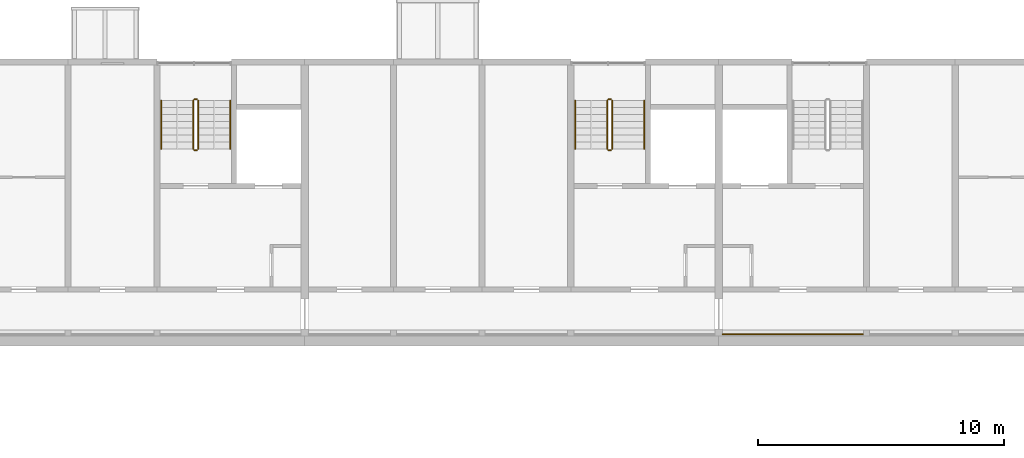
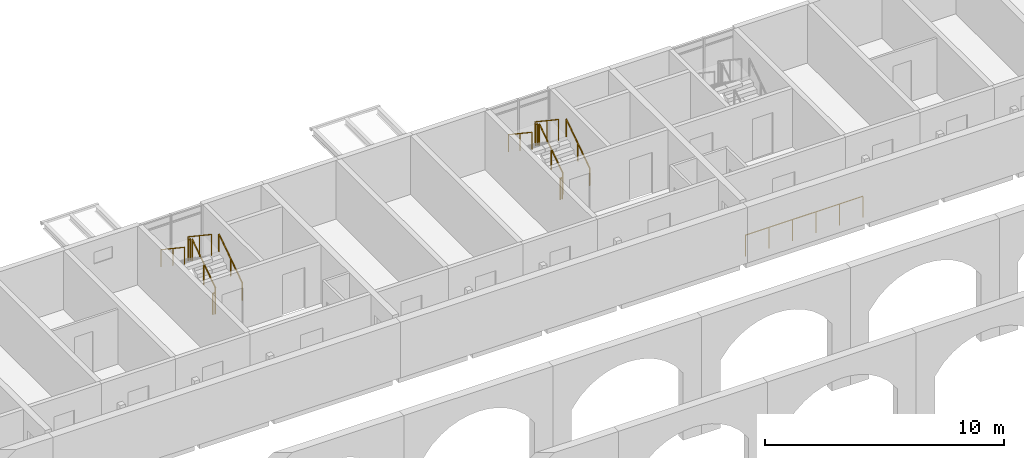
# One storey, part 104 of 122: 13 railings.
"""IFC4 building model written with IfcOpenShell, lengths in metres."""

from ifc_helpers import new_model, si_unit, direction, frame, origin, origin_2d, place, context, subcontext, project, spatial, circle, extrude, material, type_object, element, save


model = new_model("IFC4")

# Units and contexts
model_context = context("Model", 3, precision=1e-05, world=origin(), true_north=direction((0.0, 1.0)))
body_context = subcontext(model_context, "Body", "Model", "MODEL_VIEW")
ifc_project = project(units=[si_unit("LENGTHUNIT", "METRE"), si_unit("AREAUNIT", "SQUARE_METRE"), si_unit("VOLUMEUNIT", "CUBIC_METRE"), si_unit("PLANEANGLEUNIT", "RADIAN"), si_unit("MASSUNIT", "GRAM", prefix="KILO")], contexts=[model_context])

# Site, building, storey
site_placement = place(None, origin())
site = spatial("IfcSite", under=ifc_project, at=site_placement, CompositionType="ELEMENT")
building_placement = place(site_placement, origin())
building = spatial("IfcBuilding", under=site, at=building_placement, Name="Ridgestep Commons", CompositionType="ELEMENT")
storey_placement = place(building_placement, frame((0.0, 0.0, 3.0)))
storey = spatial("IfcBuildingStorey", under=building, at=storey_placement, Name="L01", CompositionType="ELEMENT", Elevation=3.0)

# Railings
ifc_material_1 = material(Name="Structural steel S355JR galvanised", Category="steel")
railing_type_1 = type_object("IfcRailingType", Name="Passage guard 1100", PredefinedType="GUARDRAIL", material=ifc_material_1)
railing_1_placement = place(storey_placement, frame((96.1708984375, 11.830078125, 0.0)))
element("IfcRailing", 1, at=railing_1_placement, inside=storey, type_object=railing_type_1, Name="Passage guard A 01.21", PredefinedType="GUARDRAIL", context=body_context, shape_type="SweptSolid", body=[
    extrude(circle(Radius=0.02392578125, at=origin_2d()), frame((0.0, 0.0, 1.076171875), z_axis=(1.0, 0.0, 0.0), x_axis=(0.0, 1.0, 0.0)), (0.0, 0.0, 1.0), 5.68310546875),
    extrude(circle(Radius=0.02099609375, at=origin_2d()), origin(), (0.0, 0.0, 1.0), 1.052001953125),
    extrude(circle(Radius=0.02099609375, at=origin_2d()), frame((1.13671875, 0.0, 0.0)), (0.0, 0.0, 1.0), 1.052001953125),
    extrude(circle(Radius=0.02099609375, at=origin_2d()), frame((2.273193359375, 0.0, 0.0)), (0.0, 0.0, 1.0), 1.052001953125),
    extrude(circle(Radius=0.02099609375, at=origin_2d()), frame((3.409912109375, 0.0, 0.0)), (0.0, 0.0, 1.0), 1.052001953125),
    extrude(circle(Radius=0.02099609375, at=origin_2d()), frame((4.54638671875, 0.0, 0.0)), (0.0, 0.0, 1.0), 1.052001953125),
    extrude(circle(Radius=0.02099609375, at=origin_2d()), frame((5.68310546875, 0.0, 0.0)), (0.0, 0.0, 1.0), 1.052001953125),
])
ifc_material_2 = material(Name="Structural steel S355JR", Category="steel")
railing_type_2 = type_object("IfcRailingType", Name="Stair guard 1100", PredefinedType="GUARDRAIL", material=ifc_material_2)
railing_2_placement = place(storey_placement, frame((74.875, 19.35009765625, 0.1875)))
element("IfcRailing", 2, at=railing_2_placement, inside=storey, type_object=railing_type_2, Name="L01 A4C stair guard 1", PredefinedType="GUARDRAIL", context=body_context, shape_type="SweptSolid", body=[
    extrude(circle(Radius=0.02392578125, at=origin_2d()), frame((0.0, 0.0, 1.076171875), z_axis=(0.0, 0.830902050051, 0.556418712142), x_axis=(-1.0, 0.0, 0.0)), (0.0, 0.0, 1.0), 2.35888671875),
    extrude(circle(Radius=0.02099609375, at=origin_2d()), origin(), (0.0, 0.0, 1.0), 1.052001953125),
    extrude(circle(Radius=0.02099609375, at=origin_2d()), frame((0.0, 0.97998046875, 0.65625)), (0.0, 0.0, 1.0), 1.052001953125),
    extrude(circle(Radius=0.02099609375, at=origin_2d()), frame((0.0, 1.9599609375, 1.3125)), (0.0, 0.0, 1.0), 1.052001953125),
])
railing_3_placement = place(storey_placement, frame((74.824951171875, 21.360107421875, 1.5)))
element("IfcRailing", 3, at=railing_3_placement, inside=storey, type_object=railing_type_2, Name="L01 A4C stair guard 2", PredefinedType="GUARDRAIL", context=body_context, shape_type="SweptSolid", body=[
    extrude(circle(Radius=0.02392578125, at=origin_2d()), frame((0.0, 0.0, 1.076171875), z_axis=(-1.0, 0.0, 0.0), x_axis=(0.0, -1.0, 0.0)), (0.0, 0.0, 1.0), 0.099853515625),
    extrude(circle(Radius=0.02099609375, at=origin_2d()), origin(), (0.0, 0.0, 1.0), 1.052001953125),
    extrude(circle(Radius=0.02099609375, at=origin_2d()), frame((-0.099853515625, 0.0, 0.0)), (0.0, 0.0, 1.0), 1.052001953125),
])
railing_4_placement = place(storey_placement, frame((74.675048828125, 21.31005859375, 1.6875)))
element("IfcRailing", 4, at=railing_4_placement, inside=storey, type_object=railing_type_2, Name="L01 A4C stair guard 3", PredefinedType="GUARDRAIL", context=body_context, shape_type="SweptSolid", body=[
    extrude(circle(Radius=0.02392578125, at=origin_2d()), frame((0.0, 0.0, 1.076171875), z_axis=(0.0, -0.830902050051, 0.556418712142), x_axis=(1.0, 0.0, 0.0)), (0.0, 0.0, 1.0), 2.35888671875),
    extrude(circle(Radius=0.02099609375, at=origin_2d()), origin(), (0.0, 0.0, 1.0), 1.052001953125),
    extrude(circle(Radius=0.02099609375, at=origin_2d()), frame((0.0, -0.97998046875, 0.65625)), (0.0, 0.0, 1.0), 1.052001953125),
    extrude(circle(Radius=0.02099609375, at=origin_2d()), frame((0.0, -1.9599609375, 1.3125)), (0.0, 0.0, 1.0), 1.052001953125),
])
railing_5_placement = place(storey_placement, frame((74.824951171875, 19.300048828125, 0.0)))
element("IfcRailing", 5, at=railing_5_placement, inside=storey, type_object=railing_type_2, Name="L01 A4C stair guard 4", PredefinedType="GUARDRAIL", context=body_context, shape_type="SweptSolid", body=[
    extrude(circle(Radius=0.02392578125, at=origin_2d()), frame((0.0, 0.0, 1.076171875), z_axis=(-1.0, 0.0, 0.0), x_axis=(0.0, -1.0, 0.0)), (0.0, 0.0, 1.0), 0.099853515625),
    extrude(circle(Radius=0.02099609375, at=origin_2d()), origin(), (0.0, 0.0, 1.0), 1.052001953125),
    extrude(circle(Radius=0.02099609375, at=origin_2d()), frame((-0.099853515625, 0.0, 0.0)), (0.0, 0.0, 1.0), 1.052001953125),
])
railing_6_placement = place(storey_placement, frame((91.675048828125, 19.35009765625, 0.1875)))
element("IfcRailing", 6, at=railing_6_placement, inside=storey, type_object=railing_type_2, Name="L01 A5C stair guard 1", PredefinedType="GUARDRAIL", context=body_context, shape_type="SweptSolid", body=[
    extrude(circle(Radius=0.02392578125, at=origin_2d()), frame((0.0, 0.0, 1.076171875), z_axis=(0.0, 0.830902050051, 0.556418712142), x_axis=(-1.0, 0.0, 0.0)), (0.0, 0.0, 1.0), 2.35888671875),
    extrude(circle(Radius=0.02099609375, at=origin_2d()), origin(), (0.0, 0.0, 1.0), 1.052001953125),
    extrude(circle(Radius=0.02099609375, at=origin_2d()), frame((0.0, 0.97998046875, 0.65625)), (0.0, 0.0, 1.0), 1.052001953125),
    extrude(circle(Radius=0.02099609375, at=origin_2d()), frame((0.0, 1.9599609375, 1.3125)), (0.0, 0.0, 1.0), 1.052001953125),
])
railing_7_placement = place(storey_placement, frame((91.625, 21.360107421875, 1.5)))
element("IfcRailing", 7, at=railing_7_placement, inside=storey, type_object=railing_type_2, Name="L01 A5C stair guard 2", PredefinedType="GUARDRAIL", context=body_context, shape_type="SweptSolid", body=[
    extrude(circle(Radius=0.02392578125, at=origin_2d()), frame((0.0, 0.0, 1.076171875), z_axis=(-1.0, 0.0, 0.0), x_axis=(0.0, -1.0, 0.0)), (0.0, 0.0, 1.0), 0.10009765625),
    extrude(circle(Radius=0.02099609375, at=origin_2d()), origin(), (0.0, 0.0, 1.0), 1.052001953125),
    extrude(circle(Radius=0.02099609375, at=origin_2d()), frame((-0.10009765625, 0.0, 0.0)), (0.0, 0.0, 1.0), 1.052001953125),
])
railing_8_placement = place(storey_placement, frame((91.47509765625, 21.31005859375, 1.6875)))
element("IfcRailing", 8, at=railing_8_placement, inside=storey, type_object=railing_type_2, Name="L01 A5C stair guard 3", PredefinedType="GUARDRAIL", context=body_context, shape_type="SweptSolid", body=[
    extrude(circle(Radius=0.02392578125, at=origin_2d()), frame((0.0, 0.0, 1.076171875), z_axis=(0.0, -0.830902050051, 0.556418712142), x_axis=(1.0, 0.0, 0.0)), (0.0, 0.0, 1.0), 2.35888671875),
    extrude(circle(Radius=0.02099609375, at=origin_2d()), origin(), (0.0, 0.0, 1.0), 1.052001953125),
    extrude(circle(Radius=0.02099609375, at=origin_2d()), frame((0.0, -0.97998046875, 0.65625)), (0.0, 0.0, 1.0), 1.052001953125),
    extrude(circle(Radius=0.02099609375, at=origin_2d()), frame((0.0, -1.9599609375, 1.3125)), (0.0, 0.0, 1.0), 1.052001953125),
])
railing_9_placement = place(storey_placement, frame((91.625, 19.300048828125, 0.0)))
element("IfcRailing", 9, at=railing_9_placement, inside=storey, type_object=railing_type_2, Name="L01 A5C stair guard 4", PredefinedType="GUARDRAIL", context=body_context, shape_type="SweptSolid", body=[
    extrude(circle(Radius=0.02392578125, at=origin_2d()), frame((0.0, 0.0, 1.076171875), z_axis=(-1.0, 0.0, 0.0), x_axis=(0.0, -1.0, 0.0)), (0.0, 0.0, 1.0), 0.10009765625),
    extrude(circle(Radius=0.02099609375, at=origin_2d()), origin(), (0.0, 0.0, 1.0), 1.052001953125),
    extrude(circle(Radius=0.02099609375, at=origin_2d()), frame((-0.10009765625, 0.0, 0.0)), (0.0, 0.0, 1.0), 1.052001953125),
])
ifc_material_3 = material(Name="Structural steel S355JR", Category="steel")
railing_type_3 = type_object("IfcRailingType", Name="Stair handrail 900", PredefinedType="HANDRAIL", material=ifc_material_3)
railing_10_placement = place(storey_placement, frame((76.175048828125, 19.35009765625, 0.1875)))
element("IfcRailing", 10, at=railing_10_placement, inside=storey, type_object=railing_type_3, Name="L01 A4C stair handrail 1", PredefinedType="HANDRAIL", context=body_context, shape_type="SweptSolid", body=[
    extrude(circle(Radius=0.02392578125, at=origin_2d()), frame((0.0, 0.0, 0.8759765625), z_axis=(0.0, 0.830902050051, 0.556418712142), x_axis=(-1.0, 0.0, 0.0)), (0.0, 0.0, 1.0), 2.35888671875),
    extrude(circle(Radius=0.02099609375, at=origin_2d()), origin(), (0.0, 0.0, 1.0), 0.851806640625),
    extrude(circle(Radius=0.02099609375, at=origin_2d()), frame((0.0, 0.97998046875, 0.65625)), (0.0, 0.0, 1.0), 0.851806640625),
    extrude(circle(Radius=0.02099609375, at=origin_2d()), frame((0.0, 1.9599609375, 1.3125)), (0.0, 0.0, 1.0), 0.851806640625),
])
railing_11_placement = place(storey_placement, frame((73.375, 21.31005859375, 1.6875)))
element("IfcRailing", 11, at=railing_11_placement, inside=storey, type_object=railing_type_3, Name="L01 A4C stair handrail 2", PredefinedType="HANDRAIL", context=body_context, shape_type="SweptSolid", body=[
    extrude(circle(Radius=0.02392578125, at=origin_2d()), frame((0.0, 0.0, 0.8759765625), z_axis=(0.0, -0.830902050051, 0.556418712142), x_axis=(1.0, 0.0, 0.0)), (0.0, 0.0, 1.0), 2.35888671875),
    extrude(circle(Radius=0.02099609375, at=origin_2d()), origin(), (0.0, 0.0, 1.0), 0.851806640625),
    extrude(circle(Radius=0.02099609375, at=origin_2d()), frame((0.0, -0.97998046875, 0.65625)), (0.0, 0.0, 1.0), 0.851806640625),
    extrude(circle(Radius=0.02099609375, at=origin_2d()), frame((0.0, -1.9599609375, 1.3125)), (0.0, 0.0, 1.0), 0.851806640625),
])
railing_12_placement = place(storey_placement, frame((92.97509765625, 19.35009765625, 0.1875)))
element("IfcRailing", 12, at=railing_12_placement, inside=storey, type_object=railing_type_3, Name="L01 A5C stair handrail 1", PredefinedType="HANDRAIL", context=body_context, shape_type="SweptSolid", body=[
    extrude(circle(Radius=0.02392578125, at=origin_2d()), frame((0.0, 0.0, 0.8759765625), z_axis=(0.0, 0.830902050051, 0.556418712142), x_axis=(-1.0, 0.0, 0.0)), (0.0, 0.0, 1.0), 2.35888671875),
    extrude(circle(Radius=0.02099609375, at=origin_2d()), origin(), (0.0, 0.0, 1.0), 0.851806640625),
    extrude(circle(Radius=0.02099609375, at=origin_2d()), frame((0.0, 0.97998046875, 0.65625)), (0.0, 0.0, 1.0), 0.851806640625),
    extrude(circle(Radius=0.02099609375, at=origin_2d()), frame((0.0, 1.9599609375, 1.3125)), (0.0, 0.0, 1.0), 0.851806640625),
])
railing_13_placement = place(storey_placement, frame((90.175048828125, 21.31005859375, 1.6875)))
element("IfcRailing", 13, at=railing_13_placement, inside=storey, type_object=railing_type_3, Name="L01 A5C stair handrail 2", PredefinedType="HANDRAIL", context=body_context, shape_type="SweptSolid", body=[
    extrude(circle(Radius=0.02392578125, at=origin_2d()), frame((0.0, 0.0, 0.8759765625), z_axis=(0.0, -0.830902050051, 0.556418712142), x_axis=(1.0, 0.0, 0.0)), (0.0, 0.0, 1.0), 2.35888671875),
    extrude(circle(Radius=0.02099609375, at=origin_2d()), origin(), (0.0, 0.0, 1.0), 0.851806640625),
    extrude(circle(Radius=0.02099609375, at=origin_2d()), frame((0.0, -0.97998046875, 0.65625)), (0.0, 0.0, 1.0), 0.851806640625),
    extrude(circle(Radius=0.02099609375, at=origin_2d()), frame((0.0, -1.9599609375, 1.3125)), (0.0, 0.0, 1.0), 0.851806640625),
])

save(model, "model.ifc")
